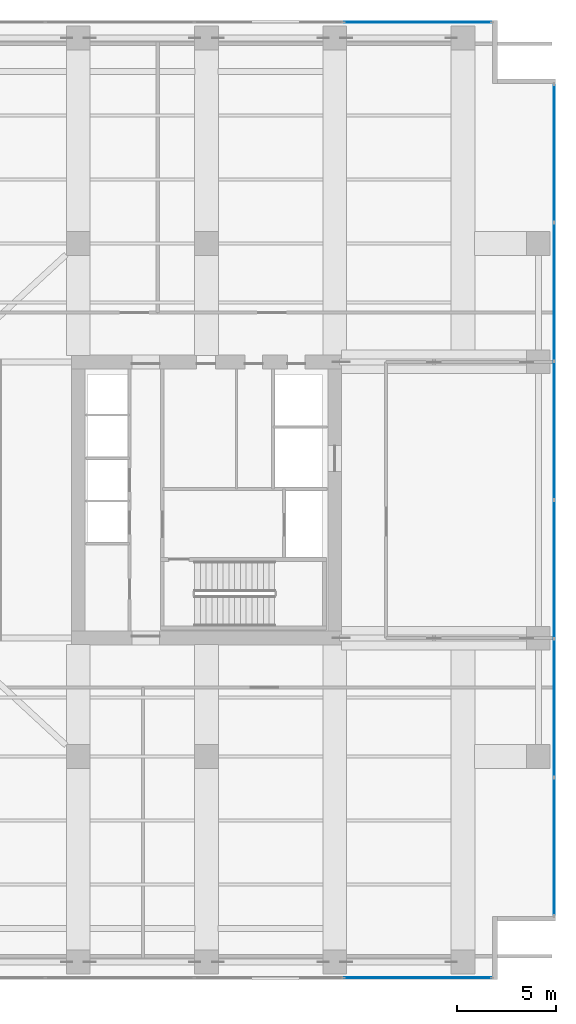
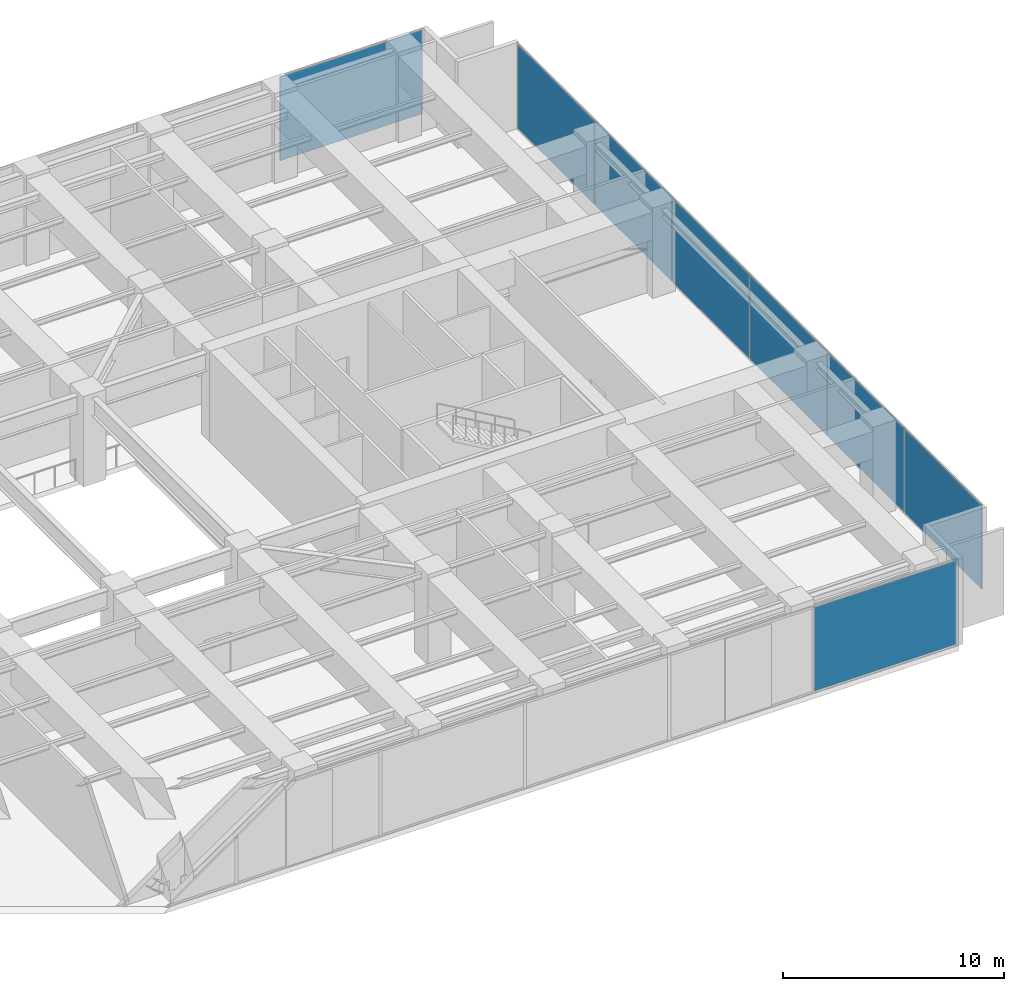
# One storey, part 16 of 28: 8 plates, 3 elements without a shape of their own.
"""IFC4 building model written with IfcOpenShell, lengths in metres."""

from ifc_helpers import new_model, si_unit, direction, frame, origin, origin_2d, place, context, subcontext, project, spatial, rectangle, extrude, material, layer, layer_set, type_object, element, aggregate, save


model = new_model("IFC4")

# Units and contexts
model_context = context("Model", 3, precision=1e-05, world=origin(), true_north=direction((0.0, 1.0)))
body_context = subcontext(model_context, "Body", "Model", "MODEL_VIEW")
ifc_project = project(units=[si_unit("LENGTHUNIT", "METRE"), si_unit("AREAUNIT", "SQUARE_METRE"), si_unit("VOLUMEUNIT", "CUBIC_METRE"), si_unit("PLANEANGLEUNIT", "RADIAN"), si_unit("MASSUNIT", "GRAM", prefix="KILO")], contexts=[model_context])

# Site, building, storey
site_placement = place(None, origin())
site = spatial("IfcSite", under=ifc_project, at=site_placement, CompositionType="ELEMENT")
building_placement = place(site_placement, origin())
building = spatial("IfcBuilding", under=site, at=building_placement, Name="Putna Gate Headquarters", CompositionType="ELEMENT")
storey_placement = place(building_placement, frame((0.0, 0.0, 139.199951171875)))
storey = spatial("IfcBuildingStorey", under=building, at=storey_placement, Name="L34", CompositionType="ELEMENT", Elevation=139.199951171875)

# Curtain wall, plate
ifc_material_1 = material(Name="Anodised bronze aluminium curtain wall", Category="aluminium")
ifc_layer_1 = layer(ifc_material_1, 0.159912109375)
ifc_layer_set_1 = layer_set([ifc_layer_1], Name="Anodised bronze aluminium curtain wall")
curtain_wall_type = type_object("IfcCurtainWallType", Name="CW-SYS-CRN", PredefinedType="USERDEFINED", material=ifc_layer_set_1)
curtain_wall_1_placement = place(storey_placement, origin())
curtain_wall_1 = element("IfcCurtainWall", 1, at=curtain_wall_1_placement, inside=storey, type_object=curtain_wall_type, Name="L34 Acoustic Louvre South Enclosure", ObjectType="STICK CURTAIN WALL", PredefinedType="USERDEFINED")
ifc_material_2 = material(Name="Anodised bronze acoustic louvre panel", Category="aluminium")
ifc_layer_2 = layer(ifc_material_2, 0.044921875)
ifc_layer_set_2 = layer_set([ifc_layer_2], Name="Anodised bronze acoustic louvre panel")
plate_type = type_object("IfcPlateType", Name="PAN-CWP-CR", PredefinedType="CURTAIN_PANEL", material=ifc_layer_set_2)
plate_1_placement = place(storey_placement, frame((69.2060546875, 1.780029296875, 0.06494140625), z_axis=(0.0, 0.0, 1.0), x_axis=(1.0, 0.0, 0.0)))
plate_1 = element("IfcPlate", 2, at=plate_1_placement, type_object=plate_type, Name="CWS-CR panel 9.1", PredefinedType="CURTAIN_PANEL", context=body_context, shape_type="SweptSolid", body=[
    extrude(rectangle(XDim=7.4580078125, YDim=0.044921875, at=origin_2d()), origin(), (0.0, 0.0, 1.0), 4.64208984375),
])
aggregate(curtain_wall_1, [plate_1])

curtain_wall_2_placement = place(storey_placement, origin())
curtain_wall_2 = element("IfcCurtainWall", 3, at=curtain_wall_2_placement, inside=storey, type_object=curtain_wall_type, Name="L34 Acoustic Louvre North Enclosure", ObjectType="STICK CURTAIN WALL", PredefinedType="USERDEFINED")
plate_2_placement = place(storey_placement, frame((69.2060546875, 50.219970703125, 0.06494140625), z_axis=(0.0, 0.0, 1.0), x_axis=(1.0, 0.0, 0.0)))
plate_2 = element("IfcPlate", 4, at=plate_2_placement, type_object=plate_type, Name="CWS-CR panel 9.1", PredefinedType="CURTAIN_PANEL", context=body_context, shape_type="SweptSolid", body=[
    extrude(rectangle(XDim=7.4580078125, YDim=0.044921875, at=origin_2d()), origin(), (0.0, 0.0, 1.0), 4.64208984375),
])
aggregate(curtain_wall_2, [plate_2])

# Curtain wall, plates
curtain_wall_3_placement = place(storey_placement, origin())
curtain_wall_3 = element("IfcCurtainWall", 5, at=curtain_wall_3_placement, inside=storey, type_object=curtain_wall_type, Name="L34 Acoustic Louvre East Enclosure", ObjectType="STICK CURTAIN WALL", PredefinedType="USERDEFINED")
plate_3_placement = place(storey_placement, frame((76.1201171875, 8.432861328125, 0.06494140625), z_axis=(0.0, 0.0, 1.0), x_axis=(0.0, 1.0, 0.0)))
plate_3 = element("IfcPlate", 6, at=plate_3_placement, type_object=plate_type, Name="CWS-CR panel 1.1", PredefinedType="CURTAIN_PANEL", context=body_context, shape_type="SweptSolid", body=[
    extrude(rectangle(XDim=6.935791015625, YDim=0.044921875, at=origin_2d()), origin(), (0.0, 0.0, 1.0), 4.64208984375),
])
plate_4_placement = place(storey_placement, frame((76.1201171875, 15.449951171875, 0.06494140625), z_axis=(0.0, 0.0, 1.0), x_axis=(0.0, 1.0, 0.0)))
plate_4 = element("IfcPlate", 7, at=plate_4_placement, type_object=plate_type, Name="CWS-CR panel 2.1", PredefinedType="CURTAIN_PANEL", context=body_context, shape_type="SweptSolid", body=[
    extrude(rectangle(XDim=6.96826171875, YDim=0.044921875, at=origin_2d()), origin(), (0.0, 0.0, 1.0), 4.64208984375),
])
plate_5_placement = place(storey_placement, frame((76.1201171875, 22.4833984375, 0.06494140625), z_axis=(0.0, 0.0, 1.0), x_axis=(0.0, 1.0, 0.0)))
plate_5 = element("IfcPlate", 8, at=plate_5_placement, type_object=plate_type, Name="CWS-CR panel 3.1", PredefinedType="CURTAIN_PANEL", context=body_context, shape_type="SweptSolid", body=[
    extrude(rectangle(XDim=6.96826171875, YDim=0.044921875, at=origin_2d()), origin(), (0.0, 0.0, 1.0), 4.64208984375),
])
plate_6_placement = place(storey_placement, frame((76.1201171875, 29.5166015625, 0.06494140625), z_axis=(0.0, 0.0, 1.0), x_axis=(0.0, 1.0, 0.0)))
plate_6 = element("IfcPlate", 9, at=plate_6_placement, type_object=plate_type, Name="CWS-CR panel 4.1", PredefinedType="CURTAIN_PANEL", context=body_context, shape_type="SweptSolid", body=[
    extrude(rectangle(XDim=6.96826171875, YDim=0.044921875, at=origin_2d()), origin(), (0.0, 0.0, 1.0), 4.64208984375),
])
plate_7_placement = place(storey_placement, frame((76.1201171875, 36.550048828125, 0.06494140625), z_axis=(0.0, 0.0, 1.0), x_axis=(0.0, 1.0, 0.0)))
plate_7 = element("IfcPlate", 10, at=plate_7_placement, type_object=plate_type, Name="CWS-CR panel 5.1", PredefinedType="CURTAIN_PANEL", context=body_context, shape_type="SweptSolid", body=[
    extrude(rectangle(XDim=6.96826171875, YDim=0.044921875, at=origin_2d()), origin(), (0.0, 0.0, 1.0), 4.64208984375),
])
plate_8_placement = place(storey_placement, frame((76.1201171875, 43.567138671875, 0.06494140625), z_axis=(0.0, 0.0, 1.0), x_axis=(0.0, 1.0, 0.0)))
plate_8 = element("IfcPlate", 11, at=plate_8_placement, type_object=plate_type, Name="CWS-CR panel 6.1", PredefinedType="CURTAIN_PANEL", context=body_context, shape_type="SweptSolid", body=[
    extrude(rectangle(XDim=6.935791015625, YDim=0.044921875, at=origin_2d()), origin(), (0.0, 0.0, 1.0), 4.64208984375),
])
aggregate(curtain_wall_3, [plate_3, plate_4, plate_5, plate_6, plate_7, plate_8])

save(model, "model.ifc")
